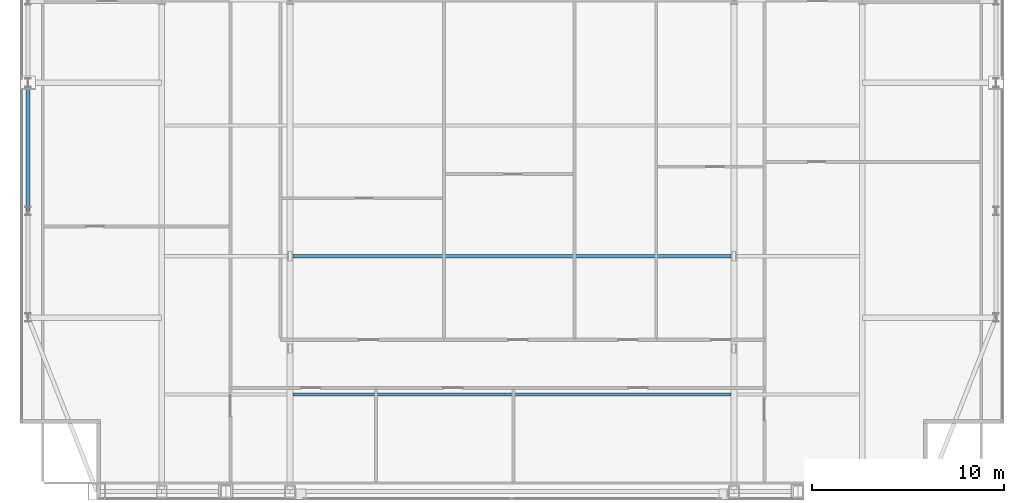
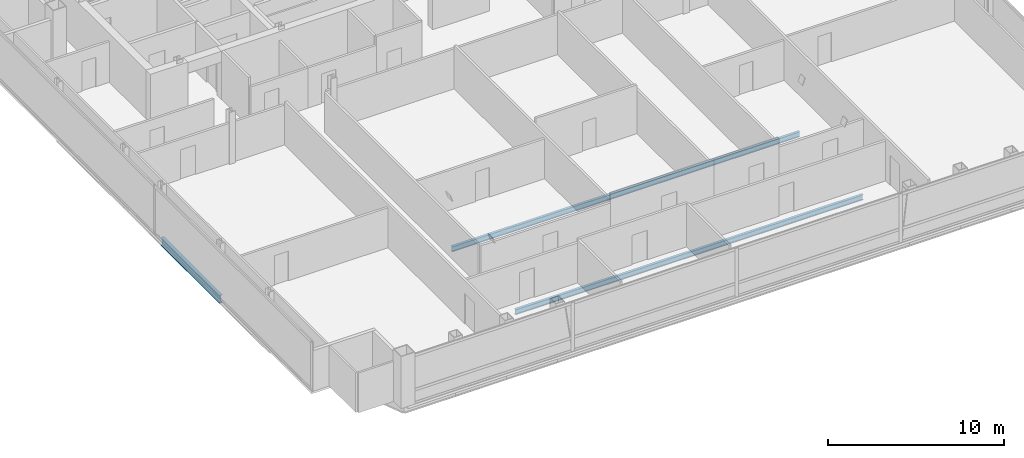
# One storey, part 7 of 24: 3 beams.
"""IFC4 building model written with IfcOpenShell, lengths in metres."""

from ifc_helpers import new_model, si_unit, direction, frame, origin, origin_2d, place, context, subcontext, project, spatial, i_section, extrude, material, material_profile, profile_set, type_object, element, save


model = new_model("IFC4")

# Units and contexts
model_context = context("Model", 3, precision=1e-05, world=origin(), true_north=direction((0.0, 1.0)))
body_context = subcontext(model_context, "Body", "Model", "MODEL_VIEW")
ifc_project = project(units=[si_unit("LENGTHUNIT", "METRE"), si_unit("AREAUNIT", "SQUARE_METRE"), si_unit("VOLUMEUNIT", "CUBIC_METRE"), si_unit("PLANEANGLEUNIT", "RADIAN"), si_unit("MASSUNIT", "GRAM", prefix="KILO")], contexts=[model_context])

# Site, building, storey
site_placement = place(None, origin())
site = spatial("IfcSite", under=ifc_project, at=site_placement, CompositionType="ELEMENT")
building_placement = place(site_placement, origin())
building = spatial("IfcBuilding", under=site, at=building_placement, Name="Khoronbel Lancet Exchange", CompositionType="ELEMENT")
storey_placement = place(building_placement, frame((0.0, 0.0, 347.0)))
storey = spatial("IfcBuildingStorey", under=building, at=storey_placement, Name="L90", CompositionType="ELEMENT", Elevation=347.0)

# Beams
ifc_material = material(Name="Steel S355", Category="steel")
ifc_material_profile_1 = material_profile(ifc_material, i_section(OverallWidth=0.169921875, OverallDepth=0.360107421875, WebThickness=0.008056640625, FlangeThickness=0.0126953125, at=origin_2d()), Name="IPE 360")
ifc_profile_set_1 = profile_set([ifc_material_profile_1], Name="Steel S355")
beam_type_1 = type_object("IfcBeamType", Name="BM-BJ6", PredefinedType="JOIST", material=ifc_profile_set_1)
for number, where, z_axis, x_axis, name in (
    (1, (25.050048828125, 15.199951171875, -0.340087890625), (1.0, 0.0, 0.0), (0.0, 1.0, 0.0), "Level L90 secondary composite joist J02"),
    (2, (25.050048828125, 22.39990234375, -0.340087890625), (1.0, 0.0, 0.0), (0.0, 1.0, 0.0), "Level L90 secondary composite joist J05"),
):
    element("IfcBeam", number, at=place(storey_placement, frame(where, z_axis=z_axis, x_axis=x_axis)), inside=storey, type_object=beam_type_1, Name=name, PredefinedType="JOIST", context=body_context, shape_type="SweptSolid", body=[
        extrude(i_section(OverallWidth=0.169921875, OverallDepth=0.360107421875, WebThickness=0.008056640625, FlangeThickness=0.0126953125, at=origin_2d()), origin(), (0.0, 0.0, 1.0), 22.800048828125),
    ])
ifc_material_profile_2 = material_profile(ifc_material, i_section(OverallWidth=0.2099609375, OverallDepth=0.550048828125, WebThickness=0.010986328125, FlangeThickness=0.01708984375, at=origin_2d()), Name="IPE 550")
ifc_profile_set_2 = profile_set([ifc_material_profile_2], Name="Steel S355")
beam_type_2 = type_object("IfcBeamType", Name="BM-BSP3", PredefinedType="SPANDREL", material=ifc_profile_set_2)
beam_placement = place(storey_placement, frame((11.27001953125, 31.425048828125, -0.43505859375), z_axis=(0.0, -1.0, 0.0), x_axis=(1.0, 0.0, 0.0)))
element("IfcBeam", 3, at=beam_placement, inside=storey, type_object=beam_type_2, Name="Level L90 perimeter spandrel beam SP17", PredefinedType="SPANDREL", context=body_context, shape_type="SweptSolid", body=[
    extrude(i_section(OverallWidth=0.2099609375, OverallDepth=0.550048828125, WebThickness=0.010986328125, FlangeThickness=0.01708984375, at=origin_2d()), origin(), (0.0, 0.0, 1.0), 6.675048828125),
])

save(model, "model.ifc")
